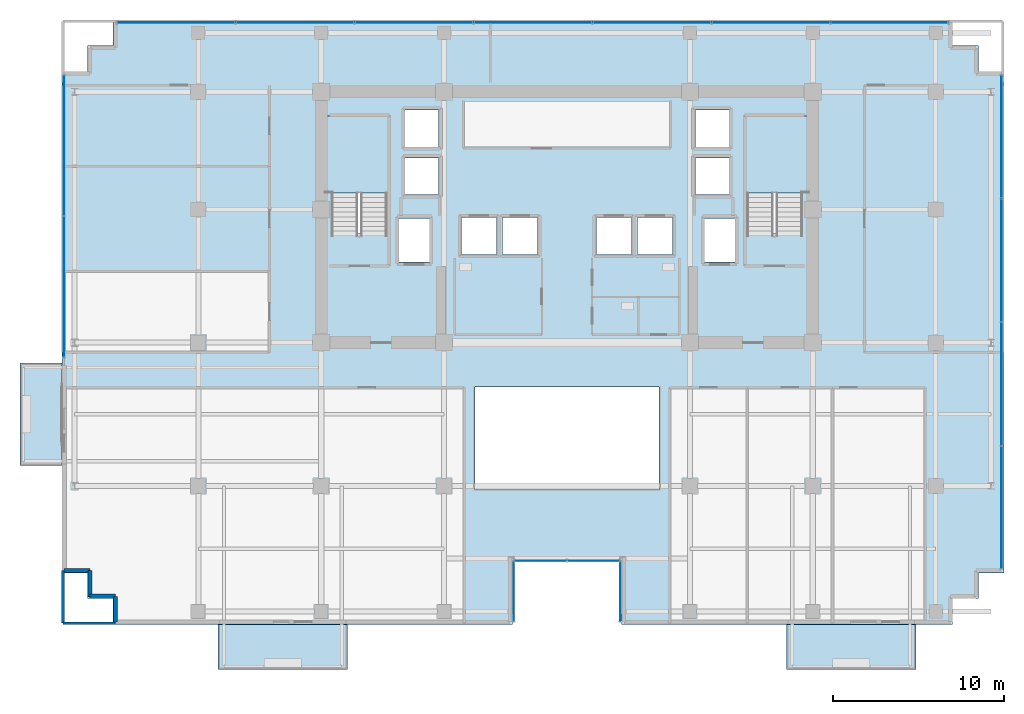
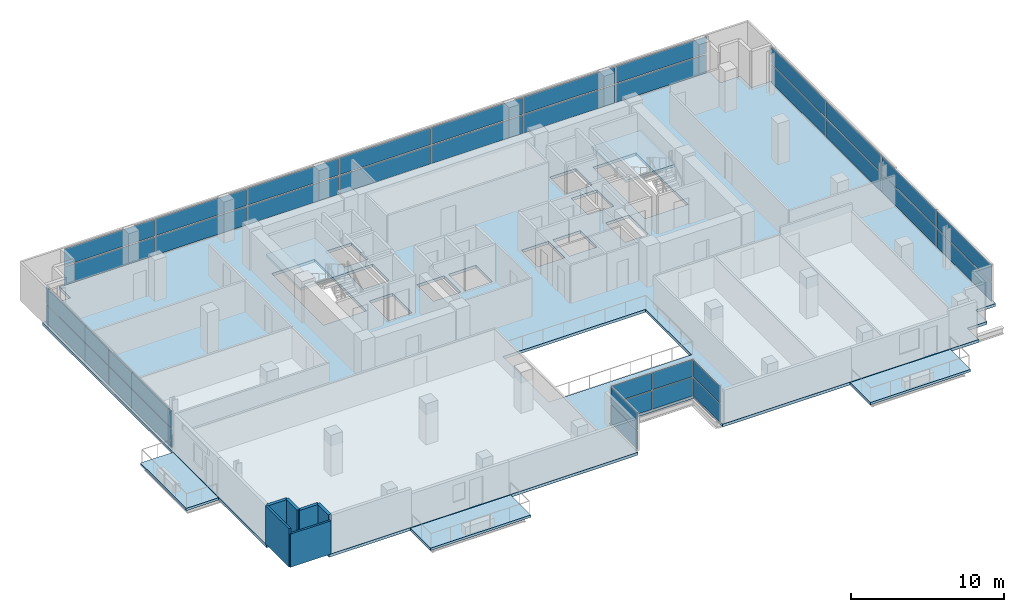
# One storey, part 19 of 28: 34 plates, 6 slabs, 6 walls, 8 elements without a shape of their own.
"""IFC4 building model written with IfcOpenShell, lengths in metres."""

import ifcopenshell
import ifcopenshell.guid

model = None  # the IFC model being written
_history = None  # IfcOwnerHistory: only IFC2X3 demands one
_inside = {}  # id of a spatial element -> (the spatial element, [elements in it])
_under = {}  # id of a project, library or spatial element -> (it, [spatial elements below it])
_declared = {}  # id of a project -> (the project, [libraries it declares])
_typed = {}  # id of a type object -> (the type object, [elements of that type])
_made_of = {}  # id of a material, layer set ... -> (it, [elements and type objects made of it])


def new_model(schema):
    """Start an empty IFC model of exactly this schema.

    Asked for "IFC4X3", IfcOpenShell would pick the latest addendum, in which some entities
    have other attributes; the version numbers below select the first issue.
    IFC2X3 requires an IfcOwnerHistory on every rooted entity: one is made here for all.
    """
    global model, _history
    if schema == "IFC4X3":
        model = ifcopenshell.file(schema_version=(4, 3, 0, 0))
    else:
        model = ifcopenshell.file(schema=schema)
    _inside.clear()
    _under.clear()
    _declared.clear()
    _typed.clear()
    _made_of.clear()
    _history = None
    if model.schema == "IFC2X3":
        org = make("IfcOrganization", Name="unknown")
        user = make(
            "IfcPersonAndOrganization",
            ThePerson=make("IfcPerson", FamilyName="unknown"),
            TheOrganization=org,
        )
        app = make(
            "IfcApplication",
            ApplicationDeveloper=org,
            Version="unknown",
            ApplicationFullName="unknown",
            ApplicationIdentifier="unknown",
        )
        _history = make(
            "IfcOwnerHistory",
            OwningUser=user,
            OwningApplication=app,
            ChangeAction="ADDED",
            CreationDate=0,
        )
    return model


def make(cls, **values):
    """One entity of the class cls with the attributes given. An attribute that is None is left unset."""
    return model.create_entity(
        cls, **{name: value for name, value in values.items() if value is not None}
    )


def rooted(cls, **values):
    """An entity with a GlobalId (a new one), such as an element, a storey or a relation."""
    return make(cls, GlobalId=ifcopenshell.guid.new(), OwnerHistory=_history, **values)


def si_unit(unit_type, name, prefix=None):
    """IfcSIUnit, for example si_unit("LENGTHUNIT", "METRE", prefix="MILLI")."""
    return make("IfcSIUnit", UnitType=unit_type, Prefix=prefix, Name=name)


def assignment(units):
    """IfcUnitAssignment: the units of a project."""
    return None if units is None else make("IfcUnitAssignment", Units=units)


def point(xyz):
    """IfcCartesianPoint."""
    return None if xyz is None else make("IfcCartesianPoint", Coordinates=xyz)


def direction(xyz):
    """IfcDirection."""
    return None if xyz is None else make("IfcDirection", DirectionRatios=xyz)


def frame(location, z_axis=None, x_axis=None):
    """IfcAxis2Placement3D, a coordinate frame: its origin and axes. An axis left out is left unset."""
    return make(
        "IfcAxis2Placement3D",
        Location=point(location),
        Axis=direction(z_axis),
        RefDirection=direction(x_axis),
    )


def frame_2d(location, x_axis=None):
    """IfcAxis2Placement2D, a coordinate frame in the plane: its origin and x axis."""
    return make(
        "IfcAxis2Placement2D", Location=point(location), RefDirection=direction(x_axis)
    )


def origin():
    """The frame at (0, 0, 0) with its axes left unset."""
    return frame((0.0, 0.0, 0.0))


def origin_2d():
    """The frame at (0, 0) in the plane with its x axis left unset."""
    return frame_2d((0.0, 0.0))


def place(relative_to, where):
    """IfcLocalPlacement: puts the frame where relative to a parent placement (None: the world)."""
    return make(
        "IfcLocalPlacement", PlacementRelTo=relative_to, RelativePlacement=where
    )


def context(
    kind, dimensions, precision=None, world=None, true_north=None, identifier=None
):
    """IfcGeometricRepresentationContext, for example the 3D "Model" context."""
    return make(
        "IfcGeometricRepresentationContext",
        ContextIdentifier=identifier,
        ContextType=kind,
        CoordinateSpaceDimension=dimensions,
        Precision=precision,
        WorldCoordinateSystem=world,
        TrueNorth=true_north,
    )


def subcontext(parent, identifier, kind, view, scale=None):
    """IfcGeometricRepresentationSubContext, for example "Body" below "Model"."""
    return make(
        "IfcGeometricRepresentationSubContext",
        ContextIdentifier=identifier,
        ContextType=kind,
        ParentContext=parent,
        TargetScale=scale,
        TargetView=view,
    )


def project(units=None, contexts=None):
    """IfcProject with its units and contexts."""
    return rooted(
        "IfcProject",
        Name="project",
        RepresentationContexts=contexts,
        UnitsInContext=assignment(units),
    )


def spatial(cls, under=None, at=None, **own):
    """A site, building, storey or space (cls), placed at a placement, below another one or the project."""
    s = rooted(cls, ObjectPlacement=at, **own)
    if under is not None:
        _under.setdefault(under.id(), (under, []))[1].append(s)
    return s


def polyline(points):
    """IfcPolyline through the points."""
    return make("IfcPolyline", Points=[point(p) for p in points])


def profile(cls, at=None, kind="AREA", **sizes):
    """A parametric profile (cls). Its sizes go by their IFC names, for example OverallWidth=200.0."""
    return make(cls, ProfileType=kind, Position=at, **sizes)


def rectangle(**sizes):
    """IfcRectangleProfileDef."""
    return profile("IfcRectangleProfileDef", **sizes)


def outline(outer, holes=None, kind="AREA"):
    """IfcArbitraryClosedProfileDef: a profile drawn as a closed curve; with holes, ...WithVoids."""
    if holes is None:
        return make("IfcArbitraryClosedProfileDef", ProfileType=kind, OuterCurve=outer)
    return make(
        "IfcArbitraryProfileDefWithVoids",
        ProfileType=kind,
        OuterCurve=outer,
        InnerCurves=holes,
    )


def extrude(swept, where, along, depth):
    """IfcExtrudedAreaSolid: the profile swept, set in the frame where, extruded along a direction by depth."""
    return make(
        "IfcExtrudedAreaSolid",
        SweptArea=swept,
        Position=where,
        ExtrudedDirection=direction(along),
        Depth=depth,
    )


def shape(context_of_items, identifier, shape_type, items):
    """IfcShapeRepresentation: the items that make up one representation, for example the "Body"."""
    return make(
        "IfcShapeRepresentation",
        ContextOfItems=context_of_items,
        RepresentationIdentifier=identifier,
        RepresentationType=shape_type,
        Items=items,
    )


def source(mapping_origin, context_of_items, identifier, shape_type, items):
    """IfcRepresentationMap: a shape defined once, which mapped items show again and again."""
    return make(
        "IfcRepresentationMap",
        MappingOrigin=mapping_origin,
        MappedRepresentation=shape(context_of_items, identifier, shape_type, items),
    )


def transform(
    local_origin,
    x_axis=None,
    y_axis=None,
    z_axis=None,
    scale=None,
    scale2=None,
    scale3=None,
    uniform=True,
):
    """IfcCartesianTransformationOperator3D, or its non-uniform kind. x_axis, y_axis, z_axis: its Axis1, 2, 3."""
    if uniform:
        return make(
            "IfcCartesianTransformationOperator3D",
            Axis1=direction(x_axis),
            Axis2=direction(y_axis),
            LocalOrigin=point(local_origin),
            Scale=scale,
            Axis3=direction(z_axis),
        )
    return make(
        "IfcCartesianTransformationOperator3DnonUniform",
        Axis1=direction(x_axis),
        Axis2=direction(y_axis),
        LocalOrigin=point(local_origin),
        Scale=scale,
        Axis3=direction(z_axis),
        Scale2=scale2,
        Scale3=scale3,
    )


def mapped(mapping_source, mapping_target):
    """IfcMappedItem: shows the shape of a source again, moved by a transform."""
    return make(
        "IfcMappedItem", MappingSource=mapping_source, MappingTarget=mapping_target
    )


def material(Name=None, Category=None):
    """IfcMaterial."""
    return make("IfcMaterial", Name=Name, Category=Category)


def layer(
    of_material, thickness, ventilated=None, Name=None, Category=None, Priority=None
):
    """IfcMaterialLayer: one layer of a wall or slab, of a material (None: an air gap)."""
    return make(
        "IfcMaterialLayer",
        Material=of_material,
        LayerThickness=thickness,
        IsVentilated=ventilated,
        Name=Name,
        Category=Category,
        Priority=Priority,
    )


def layer_set(layers, Name=None):
    """IfcMaterialLayerSet."""
    return make("IfcMaterialLayerSet", MaterialLayers=layers, LayerSetName=Name)


def made_of(thing, what):
    """Note that an element or type object is made of a material, layer set ...; save() writes the relation."""
    if what is not None:
        _made_of.setdefault(what.id(), (what, []))[1].append(thing)
    return thing


def type_object(cls, material=None, **own):
    """A type object (cls), such as IfcWallType, which elements share."""
    return made_of(rooted(cls, **own), material)


def element(
    cls,
    number,
    at=None,
    inside=None,
    cuts=None,
    type_object=None,
    material=None,
    context=None,
    identifier="Body",
    shape_type=None,
    held_by="IfcProductDefinitionShape",
    body=None,
    shapes=None,
    **own,
):
    """One element of the class cls, such as IfcWall. Its Tag is "e" and its number.

    at: its placement. inside: the storey or other place that contains it. cuts: it is an
    opening in that element (IfcRelVoidsElement). A single representation is given by context,
    identifier, shape_type and body (its items); several are given by shapes. held_by: the class
    of the entity that holds the representations. save() writes the other relations.
    """
    e = rooted(cls, Tag="e%d" % number, ObjectPlacement=at, **own)
    if body is not None:
        shapes = [shape(context, identifier, shape_type, body)]
    if shapes is not None:
        e.Representation = make(held_by, Representations=shapes)
    if inside is not None:
        _inside.setdefault(inside.id(), (inside, []))[1].append(e)
    if cuts is not None:
        rooted(
            "IfcRelVoidsElement", RelatingBuildingElement=cuts, RelatedOpeningElement=e
        )
    if type_object is not None:
        _typed.setdefault(type_object.id(), (type_object, []))[1].append(e)
    return made_of(e, material)


def aggregate(whole, parts):
    """IfcRelAggregates: a whole, such as a stair, and the parts it consists of."""
    return rooted("IfcRelAggregates", RelatingObject=whole, RelatedObjects=parts)


def save(model, path):
    """Write the relations noted so far, then the file.

    IfcRelAggregates (storeys below a building ...), IfcRelContainedInSpatialStructure (elements
    in a storey), IfcRelDefinesByType, IfcRelAssociatesMaterial and IfcRelDeclares: one each for
    every whole, place, type object, material and project.
    """
    for whole, parts in _under.values():
        aggregate(whole, parts)
    for where, things in _inside.values():
        rooted(
            "IfcRelContainedInSpatialStructure",
            RelatedElements=things,
            RelatingStructure=where,
        )
    for kind, things in _typed.values():
        rooted("IfcRelDefinesByType", RelatedObjects=things, RelatingType=kind)
    for what, things in _made_of.values():
        rooted("IfcRelAssociatesMaterial", RelatedObjects=things, RelatingMaterial=what)
    for by, libraries in _declared.values():
        rooted("IfcRelDeclares", RelatingContext=by, RelatedDefinitions=libraries)
    model.write(path)


model = new_model("IFC4")

# Units and contexts
model_context = context("Model", 3, precision=1e-05, world=origin(), true_north=direction((0.0, 1.0)))
body_context = subcontext(model_context, "Body", "Model", "MODEL_VIEW")
ifc_project = project(units=[si_unit("LENGTHUNIT", "METRE"), si_unit("AREAUNIT", "SQUARE_METRE"), si_unit("VOLUMEUNIT", "CUBIC_METRE"), si_unit("PLANEANGLEUNIT", "RADIAN"), si_unit("MASSUNIT", "GRAM", prefix="KILO")], contexts=[model_context])

# Site, building, storey
site_placement = place(None, origin())
site = spatial("IfcSite", under=ifc_project, at=site_placement, CompositionType="ELEMENT")
building_placement = place(site_placement, origin())
building = spatial("IfcBuilding", under=site, at=building_placement, Name="Zarnakvel Exchange Tower", CompositionType="ELEMENT")
storey_placement = place(building_placement, frame((0.0, 0.0, 103.300048828125)))
storey = spatial("IfcBuildingStorey", under=building, at=storey_placement, Name="L28", CompositionType="ELEMENT", Elevation=103.300048828125)

# Stair, slab
ifc_material_1 = material(Name="Concrete C40/50", Category="concrete")
stair_type = type_object("IfcStairType", Name="STR-01", PredefinedType="HALF_TURN_STAIR", material=ifc_material_1)
stair_1_placement = place(storey_placement, origin())
stair_1 = element("IfcStair", 1, at=stair_1_placement, inside=storey, type_object=stair_type, Name="L28 Protected Core Exit Stair ST-01", PredefinedType="HALF_TURN_STAIR")
ifc_layer_1 = layer(ifc_material_1, 0.199951171875)
ifc_layer_set_1 = layer_set([ifc_layer_1], Name="Concrete C40/50")
slab_type_1 = type_object("IfcSlabType", Name="LDG-01", PredefinedType="LANDING", material=ifc_layer_set_1)
slab_1_placement = place(storey_placement, frame((0.0, 0.0, 1.449951171875)))
slab_1 = element("IfcSlab", 2, at=slab_1_placement, type_object=slab_type_1, Name="ST-01 landing 1", PredefinedType="LANDING", context=body_context, shape_type="SweptSolid", body=[
    extrude(outline(polyline([(-14.18994140625, 7.570068359375), (-10.4599609375, 7.570068359375), (-10.4599609375, 12.080078125), (-14.18994140625, 12.080078125), (-14.18994140625, 7.570068359375)])), origin(), (0.0, 0.0, 1.0), 0.199951171875),
])
aggregate(stair_1, [slab_1])

stair_2_placement = place(storey_placement, origin())
stair_2 = element("IfcStair", 3, at=stair_2_placement, inside=storey, type_object=stair_type, Name="L28 Protected Core Exit Stair ST-02", PredefinedType="HALF_TURN_STAIR")
slab_2_placement = place(storey_placement, frame((0.0, 0.0, 1.449951171875)))
slab_2 = element("IfcSlab", 4, at=slab_2_placement, type_object=slab_type_1, Name="ST-02 landing 1", PredefinedType="LANDING", context=body_context, shape_type="SweptSolid", body=[
    extrude(outline(polyline([(10.4599609375, 7.570068359375), (14.18994140625, 7.570068359375), (14.18994140625, 12.080078125), (10.4599609375, 12.080078125), (10.4599609375, 7.570068359375)])), origin(), (0.0, 0.0, 1.0), 0.199951171875),
])
aggregate(stair_2, [slab_2])

# Slabs
ifc_layer_2 = layer(ifc_material_1, 0.22509765625)
ifc_layer_set_2 = layer_set([ifc_layer_2], Name="Concrete C40/50")
slab_type_2 = type_object("IfcSlabType", Name="SL-04", PredefinedType="FLOOR", material=ifc_layer_set_2)
slab_3_placement = place(storey_placement, frame((0.0, 0.0, -0.22509765625)))
element("IfcSlab", 5, at=slab_3_placement, inside=storey, type_object=slab_type_2, Name="L28 Primary Structural Floor Slab", PredefinedType="FLOOR", context=body_context, shape_type="SweptSolid", body=[
    extrude(outline(polyline([(-29.60009765625, -14.699951171875), (-28.10009765625, -14.699951171875), (-28.10009765625, -16.199951171875), (-26.60009765625, -16.199951171875), (-26.60009765625, -17.699951171875), (-3.199951171875, -17.699951171875), (-3.199951171875, -13.89990234375), (3.199951171875, -13.89990234375), (3.199951171875, -17.699951171875), (22.60009765625, -17.699951171875), (22.60009765625, -16.199951171875), (24.10009765625, -16.199951171875), (24.10009765625, -14.699951171875), (25.60009765625, -14.699951171875), (25.60009765625, 14.699951171875), (24.10009765625, 14.699951171875), (24.10009765625, 16.199951171875), (22.60009765625, 16.199951171875), (22.60009765625, 17.699951171875), (-26.60009765625, 17.699951171875), (-26.60009765625, 16.199951171875), (-28.10009765625, 16.199951171875), (-28.10009765625, 14.699951171875), (-29.60009765625, 14.699951171875), (-29.60009765625, -14.699951171875)]), holes=[polyline([(-5.39990234375, -9.800048828125), (5.39990234375, -9.800048828125), (5.39990234375, -3.800048828125), (-5.39990234375, -3.800048828125), (-5.39990234375, -9.800048828125)]), polyline([(-13.800048828125, 5.2099609375), (-10.5400390625, 5.2099609375), (-10.5400390625, 12.0), (-13.800048828125, 12.0), (-13.800048828125, 5.2099609375)]), polyline([(10.5400390625, 5.2099609375), (13.800048828125, 5.2099609375), (13.800048828125, 12.0), (10.5400390625, 12.0), (10.5400390625, 5.2099609375)]), polyline([(-9.830078125, 3.52001953125), (-8.070068359375, 3.52001953125), (-8.070068359375, 6.080078125), (-9.830078125, 6.080078125), (-9.830078125, 3.52001953125)]), polyline([(8.070068359375, 3.52001953125), (9.830078125, 3.52001953125), (9.830078125, 6.080078125), (8.070068359375, 6.080078125), (8.070068359375, 3.52001953125)]), polyline([(-6.179931640625, 3.969970703125), (-4.1201171875, 3.969970703125), (-4.1201171875, 6.1298828125), (-6.179931640625, 6.1298828125), (-6.179931640625, 3.969970703125)]), polyline([(-3.780029296875, 3.969970703125), (-1.719970703125, 3.969970703125), (-1.719970703125, 6.1298828125), (-3.780029296875, 6.1298828125), (-3.780029296875, 3.969970703125)]), polyline([(1.719970703125, 3.969970703125), (3.780029296875, 3.969970703125), (3.780029296875, 6.1298828125), (1.719970703125, 6.1298828125), (1.719970703125, 3.969970703125)]), polyline([(4.1201171875, 3.969970703125), (6.179931640625, 3.969970703125), (6.179931640625, 6.1298828125), (4.1201171875, 6.1298828125), (4.1201171875, 3.969970703125)]), polyline([(-9.47998046875, 7.469970703125), (-7.52001953125, 7.469970703125), (-7.52001953125, 9.6298828125), (-9.47998046875, 9.6298828125), (-9.47998046875, 7.469970703125)]), polyline([(-9.47998046875, 10.27001953125), (-7.52001953125, 10.27001953125), (-7.52001953125, 12.429931640625), (-9.47998046875, 12.429931640625), (-9.47998046875, 10.27001953125)]), polyline([(7.52001953125, 7.469970703125), (9.47998046875, 7.469970703125), (9.47998046875, 9.6298828125), (7.52001953125, 9.6298828125), (7.52001953125, 7.469970703125)]), polyline([(7.52001953125, 10.27001953125), (9.47998046875, 10.27001953125), (9.47998046875, 12.429931640625), (7.52001953125, 12.429931640625), (7.52001953125, 10.27001953125)])]), origin(), (0.0, 0.0, 1.0), 0.22509765625),
])
ifc_layer_3 = layer(ifc_material_1, 0.18994140625)
ifc_layer_set_3 = layer_set([ifc_layer_3], Name="Concrete C40/50")
slab_type_3 = type_object("IfcSlabType", Name="SL-08", PredefinedType="USERDEFINED", material=ifc_layer_set_3)
slab_4_placement = place(storey_placement, frame((0.0, 0.0, -0.22509765625)))
element("IfcSlab", 6, at=slab_4_placement, inside=storey, type_object=slab_type_3, Name="L28 Planted Loggia Balcony Slab BAL-L28-SW", ObjectType="BALCONY", PredefinedType="USERDEFINED", context=body_context, shape_type="SweptSolid", body=[
    extrude(outline(polyline([(-20.449951171875, -20.35009765625), (-12.85009765625, -20.35009765625), (-12.85009765625, -17.699951171875), (-20.449951171875, -17.699951171875), (-20.449951171875, -20.35009765625)])), origin(), (0.0, 0.0, 1.0), 0.18994140625),
])
slab_5_placement = place(storey_placement, frame((0.0, 0.0, -0.22509765625)))
element("IfcSlab", 7, at=slab_5_placement, inside=storey, type_object=slab_type_3, Name="L28 Planted Loggia Balcony Slab BAL-L28-SE", ObjectType="BALCONY", PredefinedType="USERDEFINED", context=body_context, shape_type="SweptSolid", body=[
    extrude(outline(polyline([(12.85009765625, -20.35009765625), (20.449951171875, -20.35009765625), (20.449951171875, -17.699951171875), (12.85009765625, -17.699951171875), (12.85009765625, -20.35009765625)])), origin(), (0.0, 0.0, 1.0), 0.18994140625),
])
slab_6_placement = place(storey_placement, frame((0.0, 0.0, -0.22509765625)))
element("IfcSlab", 8, at=slab_6_placement, inside=storey, type_object=slab_type_3, Name="L28 Planted Loggia Balcony Slab BAL-L28-W", ObjectType="BALCONY", PredefinedType="USERDEFINED", context=body_context, shape_type="SweptSolid", body=[
    extrude(outline(polyline([(-32.050048828125, -8.39990234375), (-29.60009765625, -8.39990234375), (-29.60009765625, -2.39990234375), (-32.050048828125, -2.39990234375), (-32.050048828125, -8.39990234375)])), origin(), (0.0, 0.0, 1.0), 0.18994140625),
])

# Curtain wall, plate
ifc_material_2 = material(Name="Architectural Bronze Anodised Aluminium", Category="aluminium")
ifc_layer_4 = layer(ifc_material_2, 0.179931640625)
ifc_layer_set_4 = layer_set([ifc_layer_4], Name="Architectural Bronze Anodised Aluminium")
curtain_wall_type_1 = type_object("IfcCurtainWallType", Name="CW-05", PredefinedType="NOTDEFINED", material=ifc_layer_set_4)
curtain_wall_1_placement = place(storey_placement, origin())
curtain_wall_1 = element("IfcCurtainWall", 9, at=curtain_wall_1_placement, inside=storey, type_object=curtain_wall_type_1, Name="L28 Curtain Wall CW-L28-SLW (CW-05)", PredefinedType="NOTDEFINED")
ifc_material_3 = material(Name="Double Low-E Laminated Vision Glass", Category="glass")
ifc_layer_5 = layer(ifc_material_3, 0.02587890625)
ifc_layer_set_5 = layer_set([ifc_layer_5], Name="Double Low-E Laminated Vision Glass")
plate_type_1 = type_object("IfcPlateType", Name="CWP-05", PredefinedType="CURTAIN_PANEL", material=ifc_layer_set_5)
shared_shape_1 = source(origin(), body_context, "Body", "SweptSolid", [
    extrude(rectangle(XDim=3.4599609375, YDim=0.02587890625, at=origin_2d()), origin(), (0.0, 0.0, 1.0), 1.483642578125),
])
plate_1_placement = place(storey_placement, frame((-3.1201171875, -15.780029296875, 0.06982421875), z_axis=(0.0, 0.0, 1.0), x_axis=(0.0, 1.0, 0.0)))
plate_1 = element("IfcPlate", 10, at=plate_1_placement, type_object=plate_type_1, Name="CW-05 panel 1.1", PredefinedType="CURTAIN_PANEL", context=body_context, shape_type="MappedRepresentation", body=[
    mapped(shared_shape_1, transform((0.0, 0.0, 0.0), x_axis=(1.0, 0.0, 0.0), y_axis=(0.0, 1.0, 0.0), z_axis=(0.0, 0.0, 1.0), scale=1.0)),
])

curtain_wall_2_placement = place(storey_placement, origin())
curtain_wall_2 = element("IfcCurtainWall", 11, at=curtain_wall_2_placement, inside=storey, type_object=curtain_wall_type_1, Name="L28 Curtain Wall CW-L28-SLE (CW-05)", PredefinedType="NOTDEFINED")
plate_2_placement = place(storey_placement, frame((3.1201171875, -15.780029296875, 0.06982421875), z_axis=(0.0, 0.0, 1.0), x_axis=(0.0, -1.0, 0.0)))
plate_2 = element("IfcPlate", 12, at=plate_2_placement, type_object=plate_type_1, Name="CW-05 panel 1.1", PredefinedType="CURTAIN_PANEL", context=body_context, shape_type="MappedRepresentation", body=[
    mapped(shared_shape_1, transform((0.0, 0.0, 0.0), x_axis=(1.0, 0.0, 0.0), y_axis=(0.0, 1.0, 0.0), z_axis=(0.0, 0.0, 1.0), scale=1.0)),
])

# Plate
shared_shape_2 = source(origin(), body_context, "Body", "SweptSolid", [
    extrude(rectangle(XDim=3.4599609375, YDim=0.02587890625, at=origin_2d()), origin(), (0.0, 0.0, 1.0), 1.361328125),
])
plate_3_placement = place(storey_placement, frame((-3.1201171875, -15.780029296875, 1.62353515625), z_axis=(0.0, 0.0, 1.0), x_axis=(0.0, 1.0, 0.0)))
plate_3 = element("IfcPlate", 13, at=plate_3_placement, type_object=plate_type_1, Name="CW-05 panel 1.2", PredefinedType="CURTAIN_PANEL", context=body_context, shape_type="MappedRepresentation", body=[
    mapped(shared_shape_2, transform((0.0, 0.0, 0.0), x_axis=(1.0, 0.0, 0.0), y_axis=(0.0, 1.0, 0.0), z_axis=(0.0, 0.0, 1.0), scale=1.0)),
])

aggregate(curtain_wall_1, [plate_1, plate_3])

plate_4_placement = place(storey_placement, frame((3.1201171875, -15.780029296875, 1.62353515625), z_axis=(0.0, 0.0, 1.0), x_axis=(0.0, -1.0, 0.0)))
plate_4 = element("IfcPlate", 14, at=plate_4_placement, type_object=plate_type_1, Name="CW-05 panel 1.2", PredefinedType="CURTAIN_PANEL", context=body_context, shape_type="MappedRepresentation", body=[
    mapped(shared_shape_2, transform((0.0, 0.0, 0.0), x_axis=(1.0, 0.0, 0.0), y_axis=(0.0, 1.0, 0.0), z_axis=(0.0, 0.0, 1.0), scale=1.0)),
])

aggregate(curtain_wall_2, [plate_2, plate_4])

# Curtain wall, plates
curtain_wall_3_placement = place(storey_placement, origin())
curtain_wall_3 = element("IfcCurtainWall", 15, at=curtain_wall_3_placement, inside=storey, type_object=curtain_wall_type_1, Name="L28 Curtain Wall CW-L28-SLB (CW-05)", PredefinedType="NOTDEFINED")
shared_shape_3 = source(origin(), body_context, "Body", "SweptSolid", [
    extrude(rectangle(XDim=3.014892578125, YDim=0.02587890625, at=origin_2d()), origin(), (0.0, 0.0, 1.0), 1.483642578125),
])
plate_5_placement = place(storey_placement, frame((-1.54248046875, -13.97998046875, 0.06982421875), z_axis=(0.0, 0.0, 1.0), x_axis=(1.0, 0.0, 0.0)))
plate_5 = element("IfcPlate", 16, at=plate_5_placement, type_object=plate_type_1, Name="CW-05 panel 1.1", PredefinedType="CURTAIN_PANEL", context=body_context, shape_type="MappedRepresentation", body=[
    mapped(shared_shape_3, transform((0.0, 0.0, 0.0), x_axis=(1.0, 0.0, 0.0), y_axis=(0.0, 1.0, 0.0), z_axis=(0.0, 0.0, 1.0), scale=1.0)),
])
plate_6_placement = place(storey_placement, frame((1.54248046875, -13.97998046875, 0.06982421875), z_axis=(0.0, 0.0, 1.0), x_axis=(1.0, 0.0, 0.0)))
plate_6 = element("IfcPlate", 17, at=plate_6_placement, type_object=plate_type_1, Name="CW-05 panel 2.1", PredefinedType="CURTAIN_PANEL", context=body_context, shape_type="MappedRepresentation", body=[
    mapped(shared_shape_3, transform((0.0, 0.0, 0.0), x_axis=(1.0, 0.0, 0.0), y_axis=(0.0, 1.0, 0.0), z_axis=(0.0, 0.0, 1.0), scale=1.0)),
])
shared_shape_4 = source(origin(), body_context, "Body", "SweptSolid", [
    extrude(rectangle(XDim=3.014892578125, YDim=0.02587890625, at=origin_2d()), origin(), (0.0, 0.0, 1.0), 1.361328125),
])
plate_7_placement = place(storey_placement, frame((-1.54248046875, -13.97998046875, 1.62353515625), z_axis=(0.0, 0.0, 1.0), x_axis=(1.0, 0.0, 0.0)))
plate_7 = element("IfcPlate", 18, at=plate_7_placement, type_object=plate_type_1, Name="CW-05 panel 1.2", PredefinedType="CURTAIN_PANEL", context=body_context, shape_type="MappedRepresentation", body=[
    mapped(shared_shape_4, transform((0.0, 0.0, 0.0), x_axis=(1.0, 0.0, 0.0), y_axis=(0.0, 1.0, 0.0), z_axis=(0.0, 0.0, 1.0), scale=1.0)),
])
plate_8_placement = place(storey_placement, frame((1.54248046875, -13.97998046875, 1.62353515625), z_axis=(0.0, 0.0, 1.0), x_axis=(1.0, 0.0, 0.0)))
plate_8 = element("IfcPlate", 19, at=plate_8_placement, type_object=plate_type_1, Name="CW-05 panel 2.2", PredefinedType="CURTAIN_PANEL", context=body_context, shape_type="MappedRepresentation", body=[
    mapped(shared_shape_4, transform((0.0, 0.0, 0.0), x_axis=(1.0, 0.0, 0.0), y_axis=(0.0, 1.0, 0.0), z_axis=(0.0, 0.0, 1.0), scale=1.0)),
])
aggregate(curtain_wall_3, [plate_5, plate_7, plate_6, plate_8])

ifc_layer_6 = layer(ifc_material_2, 0.199951171875)
ifc_layer_set_6 = layer_set([ifc_layer_6], Name="Architectural Bronze Anodised Aluminium")
curtain_wall_type_2 = type_object("IfcCurtainWallType", Name="CW-04", PredefinedType="NOTDEFINED", material=ifc_layer_set_6)
curtain_wall_4_placement = place(storey_placement, origin())
curtain_wall_4 = element("IfcCurtainWall", 20, at=curtain_wall_4_placement, inside=storey, type_object=curtain_wall_type_2, Name="L28 Curtain Wall CW-L28-E1 (CW-04)", PredefinedType="NOTDEFINED")
ifc_layer_7 = layer(ifc_material_3, 0.028076171875)
ifc_layer_set_7 = layer_set([ifc_layer_7], Name="Double Low-E Laminated Vision Glass")
plate_type_2 = type_object("IfcPlateType", Name="CWP-04", PredefinedType="CURTAIN_PANEL", material=ifc_layer_set_7)
shared_shape_5 = source(origin(), body_context, "Body", "SweptSolid", [
    extrude(rectangle(XDim=7.137451171875, YDim=0.028076171875, at=origin_2d()), origin(), (0.0, 0.0, 1.0), 1.47607421875),
])
plate_9_placement = place(storey_placement, frame((25.4599609375, -10.856201171875, 0.074951171875), z_axis=(0.0, 0.0, 1.0), x_axis=(0.0, 1.0, 0.0)))
plate_9 = element("IfcPlate", 21, at=plate_9_placement, type_object=plate_type_2, Name="CW-04 panel 1.1", PredefinedType="CURTAIN_PANEL", context=body_context, shape_type="MappedRepresentation", body=[
    mapped(shared_shape_5, transform((0.0, 0.0, 0.0), x_axis=(1.0, 0.0, 0.0), y_axis=(0.0, 1.0, 0.0), z_axis=(0.0, 0.0, 1.0), scale=1.0)),
])
plate_10_placement = place(storey_placement, frame((25.4599609375, 10.856201171875, 0.074951171875), z_axis=(0.0, 0.0, 1.0), x_axis=(0.0, 1.0, 0.0)))
plate_10 = element("IfcPlate", 22, at=plate_10_placement, type_object=plate_type_2, Name="CW-04 panel 4.1", PredefinedType="CURTAIN_PANEL", context=body_context, shape_type="MappedRepresentation", body=[
    mapped(shared_shape_5, transform((0.0, 0.0, 0.0), x_axis=(1.0, 0.0, 0.0), y_axis=(0.0, 1.0, 0.0), z_axis=(0.0, 0.0, 1.0), scale=1.0)),
])
shared_shape_6 = source(origin(), body_context, "Body", "SweptSolid", [
    extrude(rectangle(XDim=7.137451171875, YDim=0.028076171875, at=origin_2d()), origin(), (0.0, 0.0, 1.0), 1.35400390625),
])
plate_11_placement = place(storey_placement, frame((25.4599609375, -10.856201171875, 1.6259765625), z_axis=(0.0, 0.0, 1.0), x_axis=(0.0, 1.0, 0.0)))
plate_11 = element("IfcPlate", 23, at=plate_11_placement, type_object=plate_type_2, Name="CW-04 panel 1.2", PredefinedType="CURTAIN_PANEL", context=body_context, shape_type="MappedRepresentation", body=[
    mapped(shared_shape_6, transform((0.0, 0.0, 0.0), x_axis=(1.0, 0.0, 0.0), y_axis=(0.0, 1.0, 0.0), z_axis=(0.0, 0.0, 1.0), scale=1.0)),
])
plate_12_placement = place(storey_placement, frame((25.4599609375, 10.856201171875, 1.6259765625), z_axis=(0.0, 0.0, 1.0), x_axis=(0.0, 1.0, 0.0)))
plate_12 = element("IfcPlate", 24, at=plate_12_placement, type_object=plate_type_2, Name="CW-04 panel 4.2", PredefinedType="CURTAIN_PANEL", context=body_context, shape_type="MappedRepresentation", body=[
    mapped(shared_shape_6, transform((0.0, 0.0, 0.0), x_axis=(1.0, 0.0, 0.0), y_axis=(0.0, 1.0, 0.0), z_axis=(0.0, 0.0, 1.0), scale=1.0)),
])
shared_shape_7 = source(origin(), body_context, "Body", "SweptSolid", [
    extrude(rectangle(XDim=7.175048828125, YDim=0.028076171875, at=origin_2d()), origin(), (0.0, 0.0, 1.0), 1.47607421875),
])
plate_13_placement = place(storey_placement, frame((25.4599609375, -3.625, 0.074951171875), z_axis=(0.0, 0.0, 1.0), x_axis=(0.0, 1.0, 0.0)))
plate_13 = element("IfcPlate", 25, at=plate_13_placement, type_object=plate_type_2, Name="CW-04 panel 2.1", PredefinedType="CURTAIN_PANEL", context=body_context, shape_type="MappedRepresentation", body=[
    mapped(shared_shape_7, transform((0.0, 0.0, 0.0), x_axis=(1.0, 0.0, 0.0), y_axis=(0.0, 1.0, 0.0), z_axis=(0.0, 0.0, 1.0), scale=1.0)),
])
plate_14_placement = place(storey_placement, frame((25.4599609375, 3.625, 0.074951171875), z_axis=(0.0, 0.0, 1.0), x_axis=(0.0, 1.0, 0.0)))
plate_14 = element("IfcPlate", 26, at=plate_14_placement, type_object=plate_type_2, Name="CW-04 panel 3.1", PredefinedType="CURTAIN_PANEL", context=body_context, shape_type="MappedRepresentation", body=[
    mapped(shared_shape_7, transform((0.0, 0.0, 0.0), x_axis=(1.0, 0.0, 0.0), y_axis=(0.0, 1.0, 0.0), z_axis=(0.0, 0.0, 1.0), scale=1.0)),
])
shared_shape_8 = source(origin(), body_context, "Body", "SweptSolid", [
    extrude(rectangle(XDim=7.175048828125, YDim=0.028076171875, at=origin_2d()), origin(), (0.0, 0.0, 1.0), 1.35400390625),
])
plate_15_placement = place(storey_placement, frame((25.4599609375, -3.625, 1.6259765625), z_axis=(0.0, 0.0, 1.0), x_axis=(0.0, 1.0, 0.0)))
plate_15 = element("IfcPlate", 27, at=plate_15_placement, type_object=plate_type_2, Name="CW-04 panel 2.2", PredefinedType="CURTAIN_PANEL", context=body_context, shape_type="MappedRepresentation", body=[
    mapped(shared_shape_8, transform((0.0, 0.0, 0.0), x_axis=(1.0, 0.0, 0.0), y_axis=(0.0, 1.0, 0.0), z_axis=(0.0, 0.0, 1.0), scale=1.0)),
])
plate_16_placement = place(storey_placement, frame((25.4599609375, 3.625, 1.6259765625), z_axis=(0.0, 0.0, 1.0), x_axis=(0.0, 1.0, 0.0)))
plate_16 = element("IfcPlate", 28, at=plate_16_placement, type_object=plate_type_2, Name="CW-04 panel 3.2", PredefinedType="CURTAIN_PANEL", context=body_context, shape_type="MappedRepresentation", body=[
    mapped(shared_shape_8, transform((0.0, 0.0, 0.0), x_axis=(1.0, 0.0, 0.0), y_axis=(0.0, 1.0, 0.0), z_axis=(0.0, 0.0, 1.0), scale=1.0)),
])
aggregate(curtain_wall_4, [plate_9, plate_11, plate_13, plate_15, plate_14, plate_16, plate_10, plate_12])

curtain_wall_5_placement = place(storey_placement, origin())
curtain_wall_5 = element("IfcCurtainWall", 29, at=curtain_wall_5_placement, inside=storey, type_object=curtain_wall_type_2, Name="L28 Curtain Wall CW-L28-WN (CW-04)", PredefinedType="NOTDEFINED")
shared_shape_9 = source(origin(), body_context, "Body", "SweptSolid", [
    extrude(rectangle(XDim=8.1875, YDim=0.028076171875, at=origin_2d()), origin(), (0.0, 0.0, 1.0), 1.47607421875),
])
plate_17_placement = place(storey_placement, frame((-29.4599609375, 2.06884765625, 0.074951171875), z_axis=(0.0, 0.0, 1.0), x_axis=(0.0, 1.0, 0.0)))
plate_17 = element("IfcPlate", 30, at=plate_17_placement, type_object=plate_type_2, Name="CW-04 panel 1.1", PredefinedType="CURTAIN_PANEL", context=body_context, shape_type="MappedRepresentation", body=[
    mapped(shared_shape_9, transform((0.0, 0.0, 0.0), x_axis=(1.0, 0.0, 0.0), y_axis=(0.0, 1.0, 0.0), z_axis=(0.0, 0.0, 1.0), scale=1.0)),
])
plate_18_placement = place(storey_placement, frame((-29.4599609375, 10.331298828125, 0.074951171875), z_axis=(0.0, 0.0, 1.0), x_axis=(0.0, 1.0, 0.0)))
plate_18 = element("IfcPlate", 31, at=plate_18_placement, type_object=plate_type_2, Name="CW-04 panel 2.1", PredefinedType="CURTAIN_PANEL", context=body_context, shape_type="MappedRepresentation", body=[
    mapped(shared_shape_9, transform((0.0, 0.0, 0.0), x_axis=(1.0, 0.0, 0.0), y_axis=(0.0, 1.0, 0.0), z_axis=(0.0, 0.0, 1.0), scale=1.0)),
])
shared_shape_10 = source(origin(), body_context, "Body", "SweptSolid", [
    extrude(rectangle(XDim=8.1875, YDim=0.028076171875, at=origin_2d()), origin(), (0.0, 0.0, 1.0), 1.35400390625),
])
plate_19_placement = place(storey_placement, frame((-29.4599609375, 2.06884765625, 1.6259765625), z_axis=(0.0, 0.0, 1.0), x_axis=(0.0, 1.0, 0.0)))
plate_19 = element("IfcPlate", 32, at=plate_19_placement, type_object=plate_type_2, Name="CW-04 panel 1.2", PredefinedType="CURTAIN_PANEL", context=body_context, shape_type="MappedRepresentation", body=[
    mapped(shared_shape_10, transform((0.0, 0.0, 0.0), x_axis=(1.0, 0.0, 0.0), y_axis=(0.0, 1.0, 0.0), z_axis=(0.0, 0.0, 1.0), scale=1.0)),
])
plate_20_placement = place(storey_placement, frame((-29.4599609375, 10.331298828125, 1.6259765625), z_axis=(0.0, 0.0, 1.0), x_axis=(0.0, 1.0, 0.0)))
plate_20 = element("IfcPlate", 33, at=plate_20_placement, type_object=plate_type_2, Name="CW-04 panel 2.2", PredefinedType="CURTAIN_PANEL", context=body_context, shape_type="MappedRepresentation", body=[
    mapped(shared_shape_10, transform((0.0, 0.0, 0.0), x_axis=(1.0, 0.0, 0.0), y_axis=(0.0, 1.0, 0.0), z_axis=(0.0, 0.0, 1.0), scale=1.0)),
])
aggregate(curtain_wall_5, [plate_17, plate_19, plate_18, plate_20])

ifc_layer_8 = layer(ifc_material_2, 0.239990234375)
ifc_layer_set_8 = layer_set([ifc_layer_8], Name="Architectural Bronze Anodised Aluminium")
curtain_wall_type_3 = type_object("IfcCurtainWallType", Name="CW-02", PredefinedType="NOTDEFINED", material=ifc_layer_set_8)
curtain_wall_6_placement = place(storey_placement, origin())
curtain_wall_6 = element("IfcCurtainWall", 34, at=curtain_wall_6_placement, inside=storey, type_object=curtain_wall_type_3, Name="L28 Curtain Wall CW-L28-N1 (CW-02)", PredefinedType="NOTDEFINED")
ifc_layer_9 = layer(ifc_material_3, 0.031982421875)
ifc_layer_set_9 = layer_set([ifc_layer_9], Name="Double Low-E Laminated Vision Glass")
plate_type_3 = type_object("IfcPlateType", Name="CWP-02", PredefinedType="CURTAIN_PANEL", material=ifc_layer_set_9)
shared_shape_11 = source(origin(), body_context, "Body", "SweptSolid", [
    extrude(rectangle(XDim=6.83642578125, YDim=0.031982421875, at=origin_2d()), origin(), (0.0, 0.0, 1.0), 1.461181640625),
])
plate_21_placement = place(storey_placement, frame((-22.891845703125, 17.56005859375, 0.0849609375), z_axis=(0.0, 0.0, 1.0), x_axis=(1.0, 0.0, 0.0)))
plate_21 = element("IfcPlate", 35, at=plate_21_placement, type_object=plate_type_3, Name="CW-02 panel 1.1", PredefinedType="CURTAIN_PANEL", context=body_context, shape_type="MappedRepresentation", body=[
    mapped(shared_shape_11, transform((0.0, 0.0, 0.0), x_axis=(1.0, 0.0, 0.0), y_axis=(0.0, 1.0, 0.0), z_axis=(0.0, 0.0, 1.0), scale=1.0)),
])
plate_22_placement = place(storey_placement, frame((18.891845703125, 17.56005859375, 0.0849609375), z_axis=(0.0, 0.0, 1.0), x_axis=(1.0, 0.0, 0.0)))
plate_22 = element("IfcPlate", 36, at=plate_22_placement, type_object=plate_type_3, Name="CW-02 panel 7.1", PredefinedType="CURTAIN_PANEL", context=body_context, shape_type="MappedRepresentation", body=[
    mapped(shared_shape_11, transform((0.0, 0.0, 0.0), x_axis=(1.0, 0.0, 0.0), y_axis=(0.0, 1.0, 0.0), z_axis=(0.0, 0.0, 1.0), scale=1.0)),
])
shared_shape_12 = source(origin(), body_context, "Body", "SweptSolid", [
    extrude(rectangle(XDim=6.83642578125, YDim=0.031982421875, at=origin_2d()), origin(), (0.0, 0.0, 1.0), 1.3388671875),
])
plate_23_placement = place(storey_placement, frame((-22.891845703125, 17.56005859375, 1.631103515625), z_axis=(0.0, 0.0, 1.0), x_axis=(1.0, 0.0, 0.0)))
plate_23 = element("IfcPlate", 37, at=plate_23_placement, type_object=plate_type_3, Name="CW-02 panel 1.2", PredefinedType="CURTAIN_PANEL", context=body_context, shape_type="MappedRepresentation", body=[
    mapped(shared_shape_12, transform((0.0, 0.0, 0.0), x_axis=(1.0, 0.0, 0.0), y_axis=(0.0, 1.0, 0.0), z_axis=(0.0, 0.0, 1.0), scale=1.0)),
])
plate_24_placement = place(storey_placement, frame((18.891845703125, 17.56005859375, 1.631103515625), z_axis=(0.0, 0.0, 1.0), x_axis=(1.0, 0.0, 0.0)))
plate_24 = element("IfcPlate", 38, at=plate_24_placement, type_object=plate_type_3, Name="CW-02 panel 7.2", PredefinedType="CURTAIN_PANEL", context=body_context, shape_type="MappedRepresentation", body=[
    mapped(shared_shape_12, transform((0.0, 0.0, 0.0), x_axis=(1.0, 0.0, 0.0), y_axis=(0.0, 1.0, 0.0), z_axis=(0.0, 0.0, 1.0), scale=1.0)),
])
shared_shape_13 = source(origin(), body_context, "Body", "SweptSolid", [
    extrude(rectangle(XDim=6.88134765625, YDim=0.031982421875, at=origin_2d()), origin(), (0.0, 0.0, 1.0), 1.461181640625),
])
plate_25_placement = place(storey_placement, frame((-15.94287109375, 17.56005859375, 0.0849609375), z_axis=(0.0, 0.0, 1.0), x_axis=(1.0, 0.0, 0.0)))
plate_25 = element("IfcPlate", 39, at=plate_25_placement, type_object=plate_type_3, Name="CW-02 panel 2.1", PredefinedType="CURTAIN_PANEL", context=body_context, shape_type="MappedRepresentation", body=[
    mapped(shared_shape_13, transform((0.0, 0.0, 0.0), x_axis=(1.0, 0.0, 0.0), y_axis=(0.0, 1.0, 0.0), z_axis=(0.0, 0.0, 1.0), scale=1.0)),
])
plate_26_placement = place(storey_placement, frame((-8.971435546875, 17.56005859375, 0.0849609375), z_axis=(0.0, 0.0, 1.0), x_axis=(1.0, 0.0, 0.0)))
plate_26 = element("IfcPlate", 40, at=plate_26_placement, type_object=plate_type_3, Name="CW-02 panel 3.1", PredefinedType="CURTAIN_PANEL", context=body_context, shape_type="MappedRepresentation", body=[
    mapped(shared_shape_13, transform((0.0, 0.0, 0.0), x_axis=(1.0, 0.0, 0.0), y_axis=(0.0, 1.0, 0.0), z_axis=(0.0, 0.0, 1.0), scale=1.0)),
])
plate_27_placement = place(storey_placement, frame((-2.0, 17.56005859375, 0.0849609375), z_axis=(0.0, 0.0, 1.0), x_axis=(1.0, 0.0, 0.0)))
plate_27 = element("IfcPlate", 41, at=plate_27_placement, type_object=plate_type_3, Name="CW-02 panel 4.1", PredefinedType="CURTAIN_PANEL", context=body_context, shape_type="MappedRepresentation", body=[
    mapped(shared_shape_13, transform((0.0, 0.0, 0.0), x_axis=(1.0, 0.0, 0.0), y_axis=(0.0, 1.0, 0.0), z_axis=(0.0, 0.0, 1.0), scale=1.0)),
])
plate_28_placement = place(storey_placement, frame((4.971435546875, 17.56005859375, 0.0849609375), z_axis=(0.0, 0.0, 1.0), x_axis=(1.0, 0.0, 0.0)))
plate_28 = element("IfcPlate", 42, at=plate_28_placement, type_object=plate_type_3, Name="CW-02 panel 5.1", PredefinedType="CURTAIN_PANEL", context=body_context, shape_type="MappedRepresentation", body=[
    mapped(shared_shape_13, transform((0.0, 0.0, 0.0), x_axis=(1.0, 0.0, 0.0), y_axis=(0.0, 1.0, 0.0), z_axis=(0.0, 0.0, 1.0), scale=1.0)),
])
plate_29_placement = place(storey_placement, frame((11.94287109375, 17.56005859375, 0.0849609375), z_axis=(0.0, 0.0, 1.0), x_axis=(1.0, 0.0, 0.0)))
plate_29 = element("IfcPlate", 43, at=plate_29_placement, type_object=plate_type_3, Name="CW-02 panel 6.1", PredefinedType="CURTAIN_PANEL", context=body_context, shape_type="MappedRepresentation", body=[
    mapped(shared_shape_13, transform((0.0, 0.0, 0.0), x_axis=(1.0, 0.0, 0.0), y_axis=(0.0, 1.0, 0.0), z_axis=(0.0, 0.0, 1.0), scale=1.0)),
])
shared_shape_14 = source(origin(), body_context, "Body", "SweptSolid", [
    extrude(rectangle(XDim=6.88134765625, YDim=0.031982421875, at=origin_2d()), origin(), (0.0, 0.0, 1.0), 1.3388671875),
])
plate_30_placement = place(storey_placement, frame((-15.94287109375, 17.56005859375, 1.631103515625), z_axis=(0.0, 0.0, 1.0), x_axis=(1.0, 0.0, 0.0)))
plate_30 = element("IfcPlate", 44, at=plate_30_placement, type_object=plate_type_3, Name="CW-02 panel 2.2", PredefinedType="CURTAIN_PANEL", context=body_context, shape_type="MappedRepresentation", body=[
    mapped(shared_shape_14, transform((0.0, 0.0, 0.0), x_axis=(1.0, 0.0, 0.0), y_axis=(0.0, 1.0, 0.0), z_axis=(0.0, 0.0, 1.0), scale=1.0)),
])
plate_31_placement = place(storey_placement, frame((-8.971435546875, 17.56005859375, 1.631103515625), z_axis=(0.0, 0.0, 1.0), x_axis=(1.0, 0.0, 0.0)))
plate_31 = element("IfcPlate", 45, at=plate_31_placement, type_object=plate_type_3, Name="CW-02 panel 3.2", PredefinedType="CURTAIN_PANEL", context=body_context, shape_type="MappedRepresentation", body=[
    mapped(shared_shape_14, transform((0.0, 0.0, 0.0), x_axis=(1.0, 0.0, 0.0), y_axis=(0.0, 1.0, 0.0), z_axis=(0.0, 0.0, 1.0), scale=1.0)),
])
plate_32_placement = place(storey_placement, frame((-2.0, 17.56005859375, 1.631103515625), z_axis=(0.0, 0.0, 1.0), x_axis=(1.0, 0.0, 0.0)))
plate_32 = element("IfcPlate", 46, at=plate_32_placement, type_object=plate_type_3, Name="CW-02 panel 4.2", PredefinedType="CURTAIN_PANEL", context=body_context, shape_type="MappedRepresentation", body=[
    mapped(shared_shape_14, transform((0.0, 0.0, 0.0), x_axis=(1.0, 0.0, 0.0), y_axis=(0.0, 1.0, 0.0), z_axis=(0.0, 0.0, 1.0), scale=1.0)),
])
plate_33_placement = place(storey_placement, frame((4.971435546875, 17.56005859375, 1.631103515625), z_axis=(0.0, 0.0, 1.0), x_axis=(1.0, 0.0, 0.0)))
plate_33 = element("IfcPlate", 47, at=plate_33_placement, type_object=plate_type_3, Name="CW-02 panel 5.2", PredefinedType="CURTAIN_PANEL", context=body_context, shape_type="MappedRepresentation", body=[
    mapped(shared_shape_14, transform((0.0, 0.0, 0.0), x_axis=(1.0, 0.0, 0.0), y_axis=(0.0, 1.0, 0.0), z_axis=(0.0, 0.0, 1.0), scale=1.0)),
])
plate_34_placement = place(storey_placement, frame((11.94287109375, 17.56005859375, 1.631103515625), z_axis=(0.0, 0.0, 1.0), x_axis=(1.0, 0.0, 0.0)))
plate_34 = element("IfcPlate", 48, at=plate_34_placement, type_object=plate_type_3, Name="CW-02 panel 6.2", PredefinedType="CURTAIN_PANEL", context=body_context, shape_type="MappedRepresentation", body=[
    mapped(shared_shape_14, transform((0.0, 0.0, 0.0), x_axis=(1.0, 0.0, 0.0), y_axis=(0.0, 1.0, 0.0), z_axis=(0.0, 0.0, 1.0), scale=1.0)),
])
aggregate(curtain_wall_6, [plate_21, plate_23, plate_25, plate_30, plate_26, plate_31, plate_27, plate_32, plate_28, plate_33, plate_29, plate_34, plate_22, plate_24])

# Walls
ifc_material_4 = material(Name="Precast concrete C40/50", Category="concrete")
ifc_layer_10 = layer(ifc_material_4, 0.239990234375)
ifc_layer_set_10 = layer_set([ifc_layer_10], Name="Precast concrete C40/50")
wall_type_1 = type_object("IfcWallType", Name="EW-02", PredefinedType="SOLIDWALL", material=ifc_layer_set_10)
for number, where, z_axis, x_axis, name in (
    (49, (-26.4599609375, -16.06005859375, 0.0), (0.0, 0.0, 1.0), (0.0, -1.0, 0.0), "L28 Exterior Precast Spandrel Wall EWC-L28-23 (EW-02)"),
    (50, (-27.9599609375, -16.06005859375, 0.0), (0.0, 0.0, 1.0), (1.0, 0.0, 0.0), "L28 Exterior Precast Spandrel Wall EWC-L28-24 (EW-02)"),
    (51, (-27.9599609375, -14.56005859375, 0.0), (0.0, 0.0, 1.0), (0.0, -1.0, 0.0), "L28 Exterior Precast Spandrel Wall EWC-L28-25 (EW-02)"),
    (52, (-29.4599609375, -14.56005859375, 0.0), (0.0, 0.0, 1.0), (1.0, 0.0, 0.0), "L28 Exterior Precast Spandrel Wall EWC-L28-26 (EW-02)"),
):
    element("IfcWall", number, at=place(storey_placement, frame(where, z_axis=z_axis, x_axis=x_axis)), inside=storey, type_object=wall_type_1, Name=name, PredefinedType="SOLIDWALL", context=body_context, shape_type="SweptSolid", body=[
        extrude(rectangle(XDim=1.5, YDim=0.239990234375, at=frame_2d((0.75, 0.0))), origin(), (0.0, 0.0, 1.0), 3.074951171875),
    ])
ifc_material_5 = material(Name="Fire-Rated Gypsum Stud Partition", Category="gypsum")
ifc_layer_11 = layer(ifc_material_5, 0.14990234375)
ifc_layer_set_11 = layer_set([ifc_layer_11], Name="Fire-Rated Gypsum Stud Partition")
wall_type_2 = type_object("IfcWallType", Name="PT-01", PredefinedType="PARTITIONING", material=ifc_layer_set_11)
wall_1_placement = place(storey_placement, frame((-26.4599609375, -17.6298828125, 0.0), z_axis=(0.0, 0.0, 1.0), x_axis=(-1.0, 0.0, 0.0)))
element("IfcWall", 53, at=wall_1_placement, inside=storey, type_object=wall_type_2, Name="L28 Partition Wall PWALL-L28-025 (PT-01)", PredefinedType="PARTITIONING", context=body_context, shape_type="SweptSolid", body=[
    extrude(rectangle(XDim=3.070068359375, YDim=0.14990234375, at=frame_2d((1.53515625, 0.0))), origin(), (0.0, 0.0, 1.0), 2.6650390625),
])
wall_2_placement = place(storey_placement, frame((-29.530029296875, -17.6298828125, 0.0), z_axis=(0.0, 0.0, 1.0), x_axis=(0.0, 1.0, 0.0)))
element("IfcWall", 54, at=wall_2_placement, inside=storey, type_object=wall_type_2, Name="L28 Partition Wall PWALL-L28-027 (PT-01)", PredefinedType="PARTITIONING", context=body_context, shape_type="SweptSolid", body=[
    extrude(rectangle(XDim=3.06982421875, YDim=0.14990234375, at=frame_2d((1.534912109375, 0.0))), origin(), (0.0, 0.0, 1.0), 3.074951171875),
])

save(model, "model.ifc")
